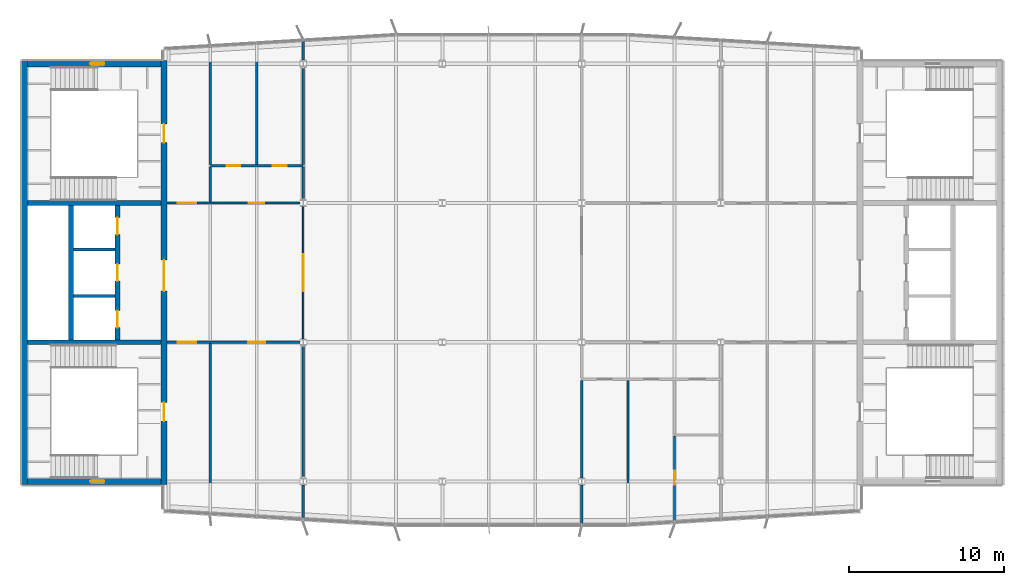
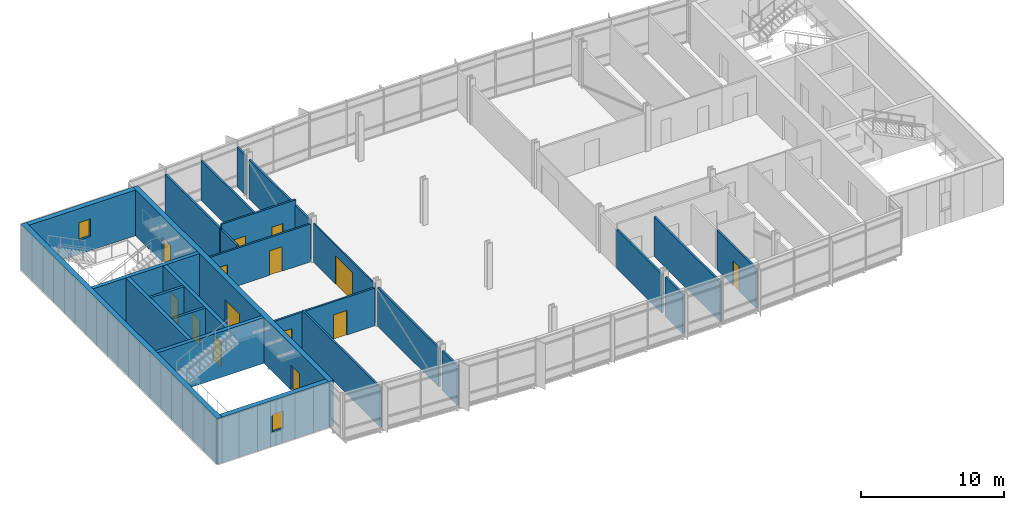
# One storey, part 15 of 21: 27 walls, 14 doors, 2 windows, 16 openings.
"""IFC4 building model written with IfcOpenShell, lengths in metres."""

import ifcopenshell
import ifcopenshell.guid

model = None  # the IFC model being written
_history = None  # IfcOwnerHistory: only IFC2X3 demands one
_inside = {}  # id of a spatial element -> (the spatial element, [elements in it])
_under = {}  # id of a project, library or spatial element -> (it, [spatial elements below it])
_declared = {}  # id of a project -> (the project, [libraries it declares])
_typed = {}  # id of a type object -> (the type object, [elements of that type])
_made_of = {}  # id of a material, layer set ... -> (it, [elements and type objects made of it])


def new_model(schema):
    """Start an empty IFC model of exactly this schema.

    Asked for "IFC4X3", IfcOpenShell would pick the latest addendum, in which some entities
    have other attributes; the version numbers below select the first issue.
    IFC2X3 requires an IfcOwnerHistory on every rooted entity: one is made here for all.
    """
    global model, _history
    if schema == "IFC4X3":
        model = ifcopenshell.file(schema_version=(4, 3, 0, 0))
    else:
        model = ifcopenshell.file(schema=schema)
    _inside.clear()
    _under.clear()
    _declared.clear()
    _typed.clear()
    _made_of.clear()
    _history = None
    if model.schema == "IFC2X3":
        org = make("IfcOrganization", Name="unknown")
        user = make(
            "IfcPersonAndOrganization",
            ThePerson=make("IfcPerson", FamilyName="unknown"),
            TheOrganization=org,
        )
        app = make(
            "IfcApplication",
            ApplicationDeveloper=org,
            Version="unknown",
            ApplicationFullName="unknown",
            ApplicationIdentifier="unknown",
        )
        _history = make(
            "IfcOwnerHistory",
            OwningUser=user,
            OwningApplication=app,
            ChangeAction="ADDED",
            CreationDate=0,
        )
    return model


def make(cls, **values):
    """One entity of the class cls with the attributes given. An attribute that is None is left unset."""
    return model.create_entity(
        cls, **{name: value for name, value in values.items() if value is not None}
    )


def rooted(cls, **values):
    """An entity with a GlobalId (a new one), such as an element, a storey or a relation."""
    return make(cls, GlobalId=ifcopenshell.guid.new(), OwnerHistory=_history, **values)


def si_unit(unit_type, name, prefix=None):
    """IfcSIUnit, for example si_unit("LENGTHUNIT", "METRE", prefix="MILLI")."""
    return make("IfcSIUnit", UnitType=unit_type, Prefix=prefix, Name=name)


def assignment(units):
    """IfcUnitAssignment: the units of a project."""
    return None if units is None else make("IfcUnitAssignment", Units=units)


def point(xyz):
    """IfcCartesianPoint."""
    return None if xyz is None else make("IfcCartesianPoint", Coordinates=xyz)


def direction(xyz):
    """IfcDirection."""
    return None if xyz is None else make("IfcDirection", DirectionRatios=xyz)


def frame(location, z_axis=None, x_axis=None):
    """IfcAxis2Placement3D, a coordinate frame: its origin and axes. An axis left out is left unset."""
    return make(
        "IfcAxis2Placement3D",
        Location=point(location),
        Axis=direction(z_axis),
        RefDirection=direction(x_axis),
    )


def frame_2d(location, x_axis=None):
    """IfcAxis2Placement2D, a coordinate frame in the plane: its origin and x axis."""
    return make(
        "IfcAxis2Placement2D", Location=point(location), RefDirection=direction(x_axis)
    )


def origin():
    """The frame at (0, 0, 0) with its axes left unset."""
    return frame((0.0, 0.0, 0.0))


def place(relative_to, where):
    """IfcLocalPlacement: puts the frame where relative to a parent placement (None: the world)."""
    return make(
        "IfcLocalPlacement", PlacementRelTo=relative_to, RelativePlacement=where
    )


def context(
    kind, dimensions, precision=None, world=None, true_north=None, identifier=None
):
    """IfcGeometricRepresentationContext, for example the 3D "Model" context."""
    return make(
        "IfcGeometricRepresentationContext",
        ContextIdentifier=identifier,
        ContextType=kind,
        CoordinateSpaceDimension=dimensions,
        Precision=precision,
        WorldCoordinateSystem=world,
        TrueNorth=true_north,
    )


def subcontext(parent, identifier, kind, view, scale=None):
    """IfcGeometricRepresentationSubContext, for example "Body" below "Model"."""
    return make(
        "IfcGeometricRepresentationSubContext",
        ContextIdentifier=identifier,
        ContextType=kind,
        ParentContext=parent,
        TargetScale=scale,
        TargetView=view,
    )


def project(units=None, contexts=None):
    """IfcProject with its units and contexts."""
    return rooted(
        "IfcProject",
        Name="project",
        RepresentationContexts=contexts,
        UnitsInContext=assignment(units),
    )


def spatial(cls, under=None, at=None, **own):
    """A site, building, storey or space (cls), placed at a placement, below another one or the project."""
    s = rooted(cls, ObjectPlacement=at, **own)
    if under is not None:
        _under.setdefault(under.id(), (under, []))[1].append(s)
    return s


def profile(cls, at=None, kind="AREA", **sizes):
    """A parametric profile (cls). Its sizes go by their IFC names, for example OverallWidth=200.0."""
    return make(cls, ProfileType=kind, Position=at, **sizes)


def rectangle(**sizes):
    """IfcRectangleProfileDef."""
    return profile("IfcRectangleProfileDef", **sizes)


def extrude(swept, where, along, depth):
    """IfcExtrudedAreaSolid: the profile swept, set in the frame where, extruded along a direction by depth."""
    return make(
        "IfcExtrudedAreaSolid",
        SweptArea=swept,
        Position=where,
        ExtrudedDirection=direction(along),
        Depth=depth,
    )


def shape(context_of_items, identifier, shape_type, items):
    """IfcShapeRepresentation: the items that make up one representation, for example the "Body"."""
    return make(
        "IfcShapeRepresentation",
        ContextOfItems=context_of_items,
        RepresentationIdentifier=identifier,
        RepresentationType=shape_type,
        Items=items,
    )


def material(Name=None, Category=None):
    """IfcMaterial."""
    return make("IfcMaterial", Name=Name, Category=Category)


def layer(
    of_material, thickness, ventilated=None, Name=None, Category=None, Priority=None
):
    """IfcMaterialLayer: one layer of a wall or slab, of a material (None: an air gap)."""
    return make(
        "IfcMaterialLayer",
        Material=of_material,
        LayerThickness=thickness,
        IsVentilated=ventilated,
        Name=Name,
        Category=Category,
        Priority=Priority,
    )


def layer_set(layers, Name=None):
    """IfcMaterialLayerSet."""
    return make("IfcMaterialLayerSet", MaterialLayers=layers, LayerSetName=Name)


def made_of(thing, what):
    """Note that an element or type object is made of a material, layer set ...; save() writes the relation."""
    if what is not None:
        _made_of.setdefault(what.id(), (what, []))[1].append(thing)
    return thing


def type_object(cls, material=None, **own):
    """A type object (cls), such as IfcWallType, which elements share."""
    return made_of(rooted(cls, **own), material)


def element(
    cls,
    number,
    at=None,
    inside=None,
    cuts=None,
    type_object=None,
    material=None,
    context=None,
    identifier="Body",
    shape_type=None,
    held_by="IfcProductDefinitionShape",
    body=None,
    shapes=None,
    **own,
):
    """One element of the class cls, such as IfcWall. Its Tag is "e" and its number.

    at: its placement. inside: the storey or other place that contains it. cuts: it is an
    opening in that element (IfcRelVoidsElement). A single representation is given by context,
    identifier, shape_type and body (its items); several are given by shapes. held_by: the class
    of the entity that holds the representations. save() writes the other relations.
    """
    e = rooted(cls, Tag="e%d" % number, ObjectPlacement=at, **own)
    if body is not None:
        shapes = [shape(context, identifier, shape_type, body)]
    if shapes is not None:
        e.Representation = make(held_by, Representations=shapes)
    if inside is not None:
        _inside.setdefault(inside.id(), (inside, []))[1].append(e)
    if cuts is not None:
        rooted(
            "IfcRelVoidsElement", RelatingBuildingElement=cuts, RelatedOpeningElement=e
        )
    if type_object is not None:
        _typed.setdefault(type_object.id(), (type_object, []))[1].append(e)
    return made_of(e, material)


def fill(opening, filler):
    """IfcRelFillsElement: the door or window that sits in an opening."""
    return rooted(
        "IfcRelFillsElement",
        RelatingOpeningElement=opening,
        RelatedBuildingElement=filler,
    )


def aggregate(whole, parts):
    """IfcRelAggregates: a whole, such as a stair, and the parts it consists of."""
    return rooted("IfcRelAggregates", RelatingObject=whole, RelatedObjects=parts)


def save(model, path):
    """Write the relations noted so far, then the file.

    IfcRelAggregates (storeys below a building ...), IfcRelContainedInSpatialStructure (elements
    in a storey), IfcRelDefinesByType, IfcRelAssociatesMaterial and IfcRelDeclares: one each for
    every whole, place, type object, material and project.
    """
    for whole, parts in _under.values():
        aggregate(whole, parts)
    for where, things in _inside.values():
        rooted(
            "IfcRelContainedInSpatialStructure",
            RelatedElements=things,
            RelatingStructure=where,
        )
    for kind, things in _typed.values():
        rooted("IfcRelDefinesByType", RelatedObjects=things, RelatingType=kind)
    for what, things in _made_of.values():
        rooted("IfcRelAssociatesMaterial", RelatedObjects=things, RelatingMaterial=what)
    for by, libraries in _declared.values():
        rooted("IfcRelDeclares", RelatingContext=by, RelatedDefinitions=libraries)
    model.write(path)


model = new_model("IFC4")

# Units and contexts
model_context = context("Model", 3, precision=1e-05, world=origin(), true_north=direction((0.0, 1.0)))
body_context = subcontext(model_context, "Body", "Model", "MODEL_VIEW")
ifc_project = project(units=[si_unit("LENGTHUNIT", "METRE"), si_unit("AREAUNIT", "SQUARE_METRE"), si_unit("VOLUMEUNIT", "CUBIC_METRE"), si_unit("PLANEANGLEUNIT", "RADIAN"), si_unit("MASSUNIT", "GRAM", prefix="KILO")], contexts=[model_context])

# Site, building, storey
site_placement = place(None, origin())
site = spatial("IfcSite", under=ifc_project, at=site_placement, CompositionType="ELEMENT")
building_placement = place(site_placement, origin())
building = spatial("IfcBuilding", under=site, at=building_placement, Name="Azimuth Sports and Learning Centre", CompositionType="ELEMENT")
storey_placement = place(building_placement, frame((0.0, 0.0, 32.39990234375)))
storey = spatial("IfcBuildingStorey", under=building, at=storey_placement, Name="L06", CompositionType="ELEMENT", Elevation=32.39990234375)

# Walls
ifc_material_1 = material(Name="Dense masonry blockwork", Category="masonry")
ifc_layer_1 = layer(ifc_material_1, 0.199951171875)
ifc_layer_set_1 = layer_set([ifc_layer_1], Name="Dense masonry blockwork")
wall_type_1 = type_object("IfcWallType", Name="Blockwork wall 200 EI 120", PredefinedType="SOLIDWALL", material=ifc_layer_set_1)
for number, where, z_axis, x_axis, name in (
    (1, (57.14990234375, 102.0, 0.0), (0.0, 0.0, 1.0), (1.0, 0.0, 0.0), "SD-W-1-L06"),
    (2, (57.14990234375, 105.0, 0.0), (0.0, 0.0, 1.0), (1.0, 0.0, 0.0), "SD-W-2-L06"),
):
    element("IfcWall", number, at=place(storey_placement, frame(where, z_axis=z_axis, x_axis=x_axis)), inside=storey, type_object=wall_type_1, Name=name, PredefinedType="SOLIDWALL", context=body_context, shape_type="SweptSolid", body=[
        extrude(rectangle(XDim=2.7001953125, YDim=0.199951171875, at=frame_2d((1.35009765625, 0.0))), origin(), (0.0, 0.0, 1.0), 3.900146484375),
    ])

# Wall, opening, door
ifc_material_2 = material(Name="Gypsum board on steel studs", Category="steel")
ifc_layer_2 = layer(ifc_material_2, 0.10009765625)
ifc_layer_set_2 = layer_set([ifc_layer_2], Name="Gypsum board on steel studs")
wall_type_2 = type_object("IfcWallType", Name="Partition 100 EI 30", PredefinedType="PARTITIONING", material=ifc_layer_set_2)
wall_1_placement = place(storey_placement, frame((72.0, 99.217529296875, 0.0), z_axis=(0.0, 0.0, 1.0), x_axis=(0.0, 1.0, 0.0)))
wall_1 = element("IfcWall", 3, at=wall_1_placement, inside=storey, type_object=wall_type_2, Name="Partition Canteen 06.08 / Learning Street West", PredefinedType="PARTITIONING", context=body_context, shape_type="SweptSolid", body=[
    extrude(rectangle(XDim=8.56494140625, YDim=0.10009765625, at=frame_2d((4.282470703125, 0.0))), origin(), (0.0, 0.0, 1.0), 3.320068359375),
])
opening_1_placement = place(wall_1_placement, frame((3.08251953125, 0.0, 0.0)))
opening_1 = element("IfcOpeningElement", 4, at=opening_1_placement, cuts=wall_1, Name="Opening D06-016", PredefinedType="OPENING", context=body_context, shape_type="SweptSolid", body=[
    extrude(rectangle(XDim=2.39990234375, YDim=2.39990234375, at=frame_2d((1.199951171875, 1.199951171875))), frame((0.0, 0.06103515625, 0.0), z_axis=(0.0, -1.0, 0.0), x_axis=(1.0, 0.0, 0.0)), (0.0, 0.0, 1.0), 0.1220703125),
])
ifc_material_3 = material(Name="Painted steel door set", Category="steel")
door_type_1 = type_object("IfcDoorType", Name="Fire door FD30S 2400 x 2400 double leaf", OperationType="DOUBLE_DOOR_SINGLE_SWING", PredefinedType="DOOR", material=ifc_material_3)
door_1_placement = place(opening_1_placement, frame((2.39990234375, 0.0, 0.0), z_axis=(0.0, 0.0, 1.0), x_axis=(-1.0, 0.0, 0.0)))
door_1 = element("IfcDoor", 5, at=door_1_placement, inside=storey, type_object=door_type_1, Name="Door Canteen 06.08 / Learning Street West", OperationType="DOUBLE_DOOR_SINGLE_SWING", OverallHeight=2.39990234375, OverallWidth=2.39990234375, PredefinedType="DOOR", context=body_context, shape_type="SweptSolid", body=[
    extrude(rectangle(XDim=2.39990234375, YDim=2.39990234375, at=frame_2d((1.199951171875, 1.199951171875))), frame((0.0, 0.02490234375, 0.0), z_axis=(0.0, -1.0, 0.0), x_axis=(1.0, 0.0, 0.0)), (0.0, 0.0, 1.0), 0.050048828125),
])
fill(opening_1, door_1)

# Wall, openings, doors
ifc_material_4 = material(Name="Lightweight blockwork, rendered", Category="masonry")
ifc_layer_3 = layer(ifc_material_4, 0.14990234375)
ifc_layer_set_3 = layer_set([ifc_layer_3], Name="Lightweight blockwork, rendered")
wall_type_3 = type_object("IfcWallType", Name="Partition 150 EI 60", PredefinedType="PARTITIONING", material=ifc_layer_set_3)
wall_2_placement = place(storey_placement, frame((63.199951171875, 99.0, 0.0), z_axis=(0.0, 0.0, 1.0), x_axis=(1.0, 0.0, 0.0)))
wall_2 = element("IfcWall", 6, at=wall_2_placement, inside=storey, type_object=wall_type_3, Name="Partition Stair Lobby W1 06.01 / First Aid Room 06.07", PredefinedType="PARTITIONING", context=body_context, shape_type="SweptSolid", body=[
    extrude(rectangle(XDim=8.593994140625, YDim=0.14990234375, at=frame_2d((4.296875, 0.0))), origin(), (0.0, 0.0, 1.0), 3.22021484375),
])
opening_2_placement = place(wall_2_placement, frame((0.699951171875, 0.0, 0.0)))
opening_2 = element("IfcOpeningElement", 7, at=opening_2_placement, cuts=wall_2, Name="Opening D06-011", PredefinedType="OPENING", context=body_context, shape_type="SweptSolid", body=[
    extrude(rectangle(XDim=1.199951171875, YDim=2.10009765625, at=frame_2d((0.60009765625, 1.050048828125))), frame((0.0, 0.0859375, 0.0), z_axis=(0.0, -1.0, 0.0), x_axis=(1.0, 0.0, 0.0)), (0.0, 0.0, 1.0), 0.171875),
])
opening_3_placement = place(wall_2_placement, frame((5.25, 0.0, 0.0)))
opening_3 = element("IfcOpeningElement", 8, at=opening_3_placement, cuts=wall_2, Name="Opening D06-015", PredefinedType="OPENING", context=body_context, shape_type="SweptSolid", body=[
    extrude(rectangle(XDim=1.10009765625, YDim=2.10009765625, at=frame_2d((0.550048828125, 1.050048828125))), frame((0.0, 0.0859375, 0.0), z_axis=(0.0, -1.0, 0.0), x_axis=(1.0, 0.0, 0.0)), (0.0, 0.0, 1.0), 0.171875),
])
ifc_material_5 = material(Name="Painted steel door set", Category="steel")
door_type_2 = type_object("IfcDoorType", Name="Fire door FD60 1100 x 2100", OperationType="NOTDEFINED", PredefinedType="DOOR", material=ifc_material_5)
door_2_placement = place(opening_3_placement, frame((1.10009765625, 0.0, 0.0), z_axis=(0.0, 0.0, 1.0), x_axis=(-1.0, 0.0, 0.0)))
door_2 = element("IfcDoor", 9, at=door_2_placement, inside=storey, type_object=door_type_2, Name="Door First Aid Room 06.07 / Learning Street West", OperationType="SINGLE_SWING_LEFT", OverallHeight=2.10009765625, OverallWidth=1.10009765625, PredefinedType="DOOR", context=body_context, shape_type="SweptSolid", body=[
    extrude(rectangle(XDim=1.10009765625, YDim=2.10009765625, at=frame_2d((0.550048828125, 1.050048828125))), frame((0.0, 0.02490234375, 0.0), z_axis=(0.0, -1.0, 0.0), x_axis=(1.0, 0.0, 0.0)), (0.0, 0.0, 1.0), 0.050048828125),
])
fill(opening_3, door_2)
ifc_material_6 = material(Name="Painted steel door set", Category="steel")
door_type_3 = type_object("IfcDoorType", Name="Fire door FD60 1200 x 2100", OperationType="NOTDEFINED", PredefinedType="DOOR", material=ifc_material_6)
door_3_placement = place(opening_2_placement, frame((1.199951171875, 0.0, 0.0), z_axis=(0.0, 0.0, 1.0), x_axis=(-1.0, 0.0, 0.0)))
door_3 = element("IfcDoor", 10, at=door_3_placement, inside=storey, type_object=door_type_3, Name="Door Stair Lobby W1 06.01 / Learning Street West", OperationType="SINGLE_SWING_RIGHT", OverallHeight=2.10009765625, OverallWidth=1.199951171875, PredefinedType="DOOR", context=body_context, shape_type="SweptSolid", body=[
    extrude(rectangle(XDim=1.199951171875, YDim=2.10009765625, at=frame_2d((0.60009765625, 1.050048828125))), frame((0.0, 0.02490234375, 0.0), z_axis=(0.0, -1.0, 0.0), x_axis=(1.0, 0.0, 0.0)), (0.0, 0.0, 1.0), 0.050048828125),
])
fill(opening_2, door_3)

wall_3_placement = place(storey_placement, frame((63.199951171875, 108.0, 0.0), z_axis=(0.0, 0.0, 1.0), x_axis=(1.0, 0.0, 0.0)))
wall_3 = element("IfcWall", 11, at=wall_3_placement, inside=storey, type_object=wall_type_3, Name="Partition Stair Lobby W2 06.02 / WC Lobby 06.16", PredefinedType="PARTITIONING", context=body_context, shape_type="SweptSolid", body=[
    extrude(rectangle(XDim=8.593994140625, YDim=0.14990234375, at=frame_2d((4.296875, 0.0))), origin(), (0.0, 0.0, 1.0), 3.22021484375),
])
opening_4_placement = place(wall_3_placement, frame((0.699951171875, 0.0, 0.0)))
opening_4 = element("IfcOpeningElement", 12, at=opening_4_placement, cuts=wall_3, Name="Opening D06-012", PredefinedType="OPENING", context=body_context, shape_type="SweptSolid", body=[
    extrude(rectangle(XDim=1.199951171875, YDim=2.10009765625, at=frame_2d((0.60009765625, 1.050048828125))), frame((0.0, 0.0859375, 0.0), z_axis=(0.0, -1.0, 0.0), x_axis=(1.0, 0.0, 0.0)), (0.0, 0.0, 1.0), 0.171875),
])
opening_5_placement = place(wall_3_placement, frame((5.300048828125, 0.0, 0.0)))
opening_5 = element("IfcOpeningElement", 13, at=opening_5_placement, cuts=wall_3, Name="Opening D06-021", PredefinedType="OPENING", context=body_context, shape_type="SweptSolid", body=[
    extrude(rectangle(XDim=1.0, YDim=2.10009765625, at=frame_2d((0.5, 1.050048828125))), frame((0.0, 0.0859375, 0.0), z_axis=(0.0, -1.0, 0.0), x_axis=(1.0, 0.0, 0.0)), (0.0, 0.0, 1.0), 0.171875),
])
ifc_material_7 = material(Name="Painted steel door set", Category="steel")
door_type_4 = type_object("IfcDoorType", Name="Fire door FD60 1000 x 2100", OperationType="NOTDEFINED", PredefinedType="DOOR", material=ifc_material_7)
door_4_placement = place(opening_5_placement, origin())
door_4 = element("IfcDoor", 14, at=door_4_placement, inside=storey, type_object=door_type_4, Name="Door WC Lobby 06.16 / Learning Street West", OperationType="SINGLE_SWING_RIGHT", OverallHeight=2.10009765625, OverallWidth=1.0, PredefinedType="DOOR", context=body_context, shape_type="SweptSolid", body=[
    extrude(rectangle(XDim=1.0, YDim=2.10009765625, at=frame_2d((0.5, 1.050048828125))), frame((0.0, 0.02490234375, 0.0), z_axis=(0.0, -1.0, 0.0), x_axis=(1.0, 0.0, 0.0)), (0.0, 0.0, 1.0), 0.050048828125),
])
fill(opening_5, door_4)
door_5_placement = place(opening_4_placement, origin())
door_5 = element("IfcDoor", 15, at=door_5_placement, inside=storey, type_object=door_type_3, Name="Door Stair Lobby W2 06.02 / Learning Street West", OperationType="SINGLE_SWING_LEFT", OverallHeight=2.10009765625, OverallWidth=1.199951171875, PredefinedType="DOOR", context=body_context, shape_type="SweptSolid", body=[
    extrude(rectangle(XDim=1.199951171875, YDim=2.10009765625, at=frame_2d((0.60009765625, 1.050048828125))), frame((0.0, 0.02490234375, 0.0), z_axis=(0.0, -1.0, 0.0), x_axis=(1.0, 0.0, 0.0)), (0.0, 0.0, 1.0), 0.050048828125),
])
fill(opening_4, door_5)

wall_4_placement = place(storey_placement, frame((66.0, 110.39990234375, 0.0), z_axis=(0.0, 0.0, 1.0), x_axis=(1.0, 0.0, 0.0)))
wall_4 = element("IfcWall", 16, at=wall_4_placement, inside=storey, type_object=wall_type_3, Name="Partition WC Lobby 06.16 / Men WC 06.17", PredefinedType="PARTITIONING", context=body_context, shape_type="SweptSolid", body=[
    extrude(rectangle(XDim=6.0, YDim=0.14990234375, at=frame_2d((3.0, 0.0))), origin(), (0.0, 0.0, 1.0), 3.77001953125),
])
opening_6_placement = place(wall_4_placement, frame((1.050048828125, 0.0, 0.0)))
opening_6 = element("IfcOpeningElement", 17, at=opening_6_placement, cuts=wall_4, Name="Opening D06-029", PredefinedType="OPENING", context=body_context, shape_type="SweptSolid", body=[
    extrude(rectangle(XDim=0.89990234375, YDim=2.10009765625, at=frame_2d((0.449951171875, 1.050048828125))), frame((0.0, 0.0859375, 0.0), z_axis=(0.0, -1.0, 0.0), x_axis=(1.0, 0.0, 0.0)), (0.0, 0.0, 1.0), 0.171875),
])
opening_7_placement = place(wall_4_placement, frame((4.050048828125, 0.0, 0.0)))
opening_7 = element("IfcOpeningElement", 18, at=opening_7_placement, cuts=wall_4, Name="Opening D06-030", PredefinedType="OPENING", context=body_context, shape_type="SweptSolid", body=[
    extrude(rectangle(XDim=0.89990234375, YDim=2.10009765625, at=frame_2d((0.449951171875, 1.050048828125))), frame((0.0, 0.0859375, 0.0), z_axis=(0.0, -1.0, 0.0), x_axis=(1.0, 0.0, 0.0)), (0.0, 0.0, 1.0), 0.171875),
])
ifc_material_8 = material(Name="Painted steel door set", Category="steel")
door_type_5 = type_object("IfcDoorType", Name="Fire door FD60 900 x 2100", OperationType="NOTDEFINED", PredefinedType="DOOR", material=ifc_material_8)
door_6_placement = place(opening_6_placement, frame((0.89990234375, 0.0, 0.0), z_axis=(0.0, 0.0, 1.0), x_axis=(-1.0, 0.0, 0.0)))
door_6 = element("IfcDoor", 19, at=door_6_placement, inside=storey, type_object=door_type_5, Name="Door WC Lobby 06.16 / Men WC 06.17", OperationType="SINGLE_SWING_RIGHT", OverallHeight=2.10009765625, OverallWidth=0.89990234375, PredefinedType="DOOR", context=body_context, shape_type="SweptSolid", body=[
    extrude(rectangle(XDim=0.89990234375, YDim=2.10009765625, at=frame_2d((0.449951171875, 1.050048828125))), frame((0.0, 0.02490234375, 0.0), z_axis=(0.0, -1.0, 0.0), x_axis=(1.0, 0.0, 0.0)), (0.0, 0.0, 1.0), 0.050048828125),
])
fill(opening_6, door_6)
door_7_placement = place(opening_7_placement, frame((0.89990234375, 0.0, 0.0), z_axis=(0.0, 0.0, 1.0), x_axis=(-1.0, 0.0, 0.0)))
door_7 = element("IfcDoor", 20, at=door_7_placement, inside=storey, type_object=door_type_5, Name="Door WC Lobby 06.16 / Women WC 06.18", OperationType="SINGLE_SWING_LEFT", OverallHeight=2.10009765625, OverallWidth=0.89990234375, PredefinedType="DOOR", context=body_context, shape_type="SweptSolid", body=[
    extrude(rectangle(XDim=0.89990234375, YDim=2.10009765625, at=frame_2d((0.449951171875, 1.050048828125))), frame((0.0, 0.02490234375, 0.0), z_axis=(0.0, -1.0, 0.0), x_axis=(1.0, 0.0, 0.0)), (0.0, 0.0, 1.0), 0.050048828125),
])
fill(opening_7, door_7)

# Walls
wall_5_placement = place(storey_placement, frame((66.0, 88.02001953125, 0.0), z_axis=(0.0, 0.0, 1.0), x_axis=(0.0, 1.0, 0.0)))
element("IfcWall", 21, at=wall_5_placement, inside=storey, type_object=wall_type_3, Name="Partition Stair Lobby W1 06.01 / First Aid Room 06.07", PredefinedType="PARTITIONING", context=body_context, shape_type="SweptSolid", body=[
    extrude(rectangle(XDim=10.905029296875, YDim=0.14990234375, at=frame_2d((5.45263671875, 0.0))), origin(), (0.0, 0.0, 1.0), 3.3701171875),
])
wall_6_placement = place(storey_placement, frame((66.0, 108.074951171875, 0.0), z_axis=(0.0, 0.0, 1.0), x_axis=(0.0, 1.0, 0.0)))
element("IfcWall", 22, at=wall_6_placement, inside=storey, type_object=wall_type_3, Name="Partition Stair Lobby W2 06.02 / WC Lobby 06.16", PredefinedType="PARTITIONING", context=body_context, shape_type="SweptSolid", body=[
    extrude(rectangle(XDim=2.25, YDim=0.14990234375, at=frame_2d((1.125, 0.0))), origin(), (0.0, 0.0, 1.0), 3.3701171875),
])
wall_7_placement = place(storey_placement, frame((66.0, 110.47509765625, 0.0), z_axis=(0.0, 0.0, 1.0), x_axis=(0.0, 1.0, 0.0)))
element("IfcWall", 23, at=wall_7_placement, inside=storey, type_object=wall_type_3, Name="Partition Stair Lobby W2 06.02 / WC Lobby 06.16", PredefinedType="PARTITIONING", context=body_context, shape_type="SweptSolid", body=[
    extrude(rectangle(XDim=7.60498046875, YDim=0.14990234375, at=frame_2d((3.802490234375, 0.0))), origin(), (0.0, 0.0, 1.0), 3.3701171875),
])
wall_8_placement = place(storey_placement, frame((69.0, 110.47509765625, 0.0), z_axis=(0.0, 0.0, 1.0), x_axis=(0.0, 1.0, 0.0)))
element("IfcWall", 24, at=wall_8_placement, inside=storey, type_object=wall_type_3, Name="Partition Men WC 06.17 / Women WC 06.18", PredefinedType="PARTITIONING", context=body_context, shape_type="SweptSolid", body=[
    extrude(rectangle(XDim=7.784912109375, YDim=0.14990234375, at=frame_2d((3.892578125, 0.0))), origin(), (0.0, 0.0, 1.0), 3.3701171875),
])
wall_9_placement = place(storey_placement, frame((72.0, 87.659912109375, 0.0), z_axis=(0.0, 0.0, 1.0), x_axis=(0.0, 1.0, 0.0)))
element("IfcWall", 25, at=wall_9_placement, inside=storey, type_object=wall_type_3, Name="Partition First Aid Room 06.07 / Canteen 06.08", PredefinedType="PARTITIONING", context=body_context, shape_type="SweptSolid", body=[
    extrude(rectangle(XDim=2.10302734375, YDim=0.14990234375, at=frame_2d((1.051513671875, 0.0))), origin(), (0.0, 0.0, 1.0), 3.3701171875),
])
wall_10_placement = place(storey_placement, frame((72.0, 90.237060546875, 0.0), z_axis=(0.0, 0.0, 1.0), x_axis=(0.0, 1.0, 0.0)))
element("IfcWall", 26, at=wall_10_placement, inside=storey, type_object=wall_type_3, Name="Partition First Aid Room 06.07 / Canteen 06.08", PredefinedType="PARTITIONING", context=body_context, shape_type="SweptSolid", body=[
    extrude(rectangle(XDim=8.54541015625, YDim=0.14990234375, at=frame_2d((4.272705078125, 0.0))), origin(), (0.0, 0.0, 1.0), 3.320068359375),
])
wall_11_placement = place(storey_placement, frame((72.0, 108.217529296875, 0.0), z_axis=(0.0, 0.0, 1.0), x_axis=(0.0, 1.0, 0.0)))
element("IfcWall", 27, at=wall_11_placement, inside=storey, type_object=wall_type_3, Name="Partition Canteen 06.08 / WC Lobby 06.16", PredefinedType="PARTITIONING", context=body_context, shape_type="SweptSolid", body=[
    extrude(rectangle(XDim=2.107421875, YDim=0.14990234375, at=frame_2d((1.0537109375, 0.0))), origin(), (0.0, 0.0, 1.0), 3.320068359375),
])
wall_12_placement = place(storey_placement, frame((72.0, 110.47509765625, 0.0), z_axis=(0.0, 0.0, 1.0), x_axis=(0.0, 1.0, 0.0)))
element("IfcWall", 28, at=wall_12_placement, inside=storey, type_object=wall_type_3, Name="Partition Canteen 06.08 / WC Lobby 06.16", PredefinedType="PARTITIONING", context=body_context, shape_type="SweptSolid", body=[
    extrude(rectangle(XDim=6.287841796875, YDim=0.14990234375, at=frame_2d((3.14404296875, 0.0))), origin(), (0.0, 0.0, 1.0), 3.320068359375),
])
wall_13_placement = place(storey_placement, frame((72.0, 117.237060546875, 0.0), z_axis=(0.0, 0.0, 1.0), x_axis=(0.0, 1.0, 0.0)))
element("IfcWall", 29, at=wall_13_placement, inside=storey, type_object=wall_type_3, Name="Partition Canteen 06.08 / WC Lobby 06.16", PredefinedType="PARTITIONING", context=body_context, shape_type="SweptSolid", body=[
    extrude(rectangle(XDim=1.202880859375, YDim=0.14990234375, at=frame_2d((0.6015625, 0.0))), origin(), (0.0, 0.0, 1.0), 3.3701171875),
])
wall_14_placement = place(storey_placement, frame((90.0, 87.300048828125, 0.0), z_axis=(0.0, 0.0, 1.0), x_axis=(0.0, 1.0, 0.0)))
element("IfcWall", 30, at=wall_14_placement, inside=storey, type_object=wall_type_3, Name="Partition Canteen 06.08 / WC Lobby 06.09", PredefinedType="PARTITIONING", context=body_context, shape_type="SweptSolid", body=[
    extrude(rectangle(XDim=2.462890625, YDim=0.14990234375, at=frame_2d((1.2314453125, 0.0))), origin(), (0.0, 0.0, 1.0), 3.3701171875),
])
wall_15_placement = place(storey_placement, frame((90.0, 90.237060546875, 0.0), z_axis=(0.0, 0.0, 1.0), x_axis=(0.0, 1.0, 0.0)))
element("IfcWall", 31, at=wall_15_placement, inside=storey, type_object=wall_type_3, Name="Partition Canteen 06.08 / WC Lobby 06.09", PredefinedType="PARTITIONING", context=body_context, shape_type="SweptSolid", body=[
    extrude(rectangle(XDim=6.287841796875, YDim=0.14990234375, at=frame_2d((3.14404296875, 0.0))), origin(), (0.0, 0.0, 1.0), 3.320068359375),
])
wall_16_placement = place(storey_placement, frame((93.0, 87.300048828125, 0.0), z_axis=(0.0, 0.0, 1.0), x_axis=(0.0, 1.0, 0.0)))
element("IfcWall", 32, at=wall_16_placement, inside=storey, type_object=wall_type_3, Name="Partition Men WC 06.10 / Women WC 06.11", PredefinedType="PARTITIONING", context=body_context, shape_type="SweptSolid", body=[
    extrude(rectangle(XDim=9.224853515625, YDim=0.14990234375, at=frame_2d((4.6123046875, 0.0))), origin(), (0.0, 0.0, 1.0), 3.3701171875),
])

# Wall, opening, door
wall_17_placement = place(storey_placement, frame((96.0, 87.47998046875, 0.0), z_axis=(0.0, 0.0, 1.0), x_axis=(0.0, 1.0, 0.0)))
wall_17 = element("IfcWall", 33, at=wall_17_placement, inside=storey, type_object=wall_type_3, Name="Partition Women WC 06.11 / Accessible WC 06.12", PredefinedType="PARTITIONING", context=body_context, shape_type="SweptSolid", body=[
    extrude(rectangle(XDim=5.445068359375, YDim=0.14990234375, at=frame_2d((2.72265625, 0.0))), origin(), (0.0, 0.0, 1.0), 3.3701171875),
])
opening_8_placement = place(wall_17_placement, frame((2.31005859375, 0.0, 0.0)))
opening_8 = element("IfcOpeningElement", 34, at=opening_8_placement, cuts=wall_17, Name="Opening D06-028", PredefinedType="OPENING", context=body_context, shape_type="SweptSolid", body=[
    extrude(rectangle(XDim=0.89990234375, YDim=2.10009765625, at=frame_2d((0.449951171875, 1.050048828125))), frame((0.0, 0.0859375, 0.0), z_axis=(0.0, -1.0, 0.0), x_axis=(1.0, 0.0, 0.0)), (0.0, 0.0, 1.0), 0.171875),
])
door_8_placement = place(opening_8_placement, frame((0.89990234375, 0.0, 0.0), z_axis=(0.0, 0.0, 1.0), x_axis=(-1.0, 0.0, 0.0)))
door_8 = element("IfcDoor", 35, at=door_8_placement, inside=storey, type_object=door_type_5, Name="Door Women WC 06.11 / Cleaner Store 06.13", OperationType="SINGLE_SWING_LEFT", OverallHeight=2.10009765625, OverallWidth=0.89990234375, PredefinedType="DOOR", context=body_context, shape_type="SweptSolid", body=[
    extrude(rectangle(XDim=0.89990234375, YDim=2.10009765625, at=frame_2d((0.449951171875, 1.050048828125))), frame((0.0, 0.02490234375, 0.0), z_axis=(0.0, -1.0, 0.0), x_axis=(1.0, 0.0, 0.0)), (0.0, 0.0, 1.0), 0.050048828125),
])
fill(opening_8, door_8)

# Walls
ifc_material_9 = material(Name="Concrete C40/50", Category="concrete")
ifc_layer_4 = layer(ifc_material_9, 0.300048828125)
ifc_layer_set_4 = layer_set([ifc_layer_4], Name="Concrete C40/50")
wall_type_4 = type_object("IfcWallType", Name="RC core wall 300", PredefinedType="SHEAR", material=ifc_layer_set_4)
for number, where, z_axis, x_axis, name in (
    (36, (54.199951171875, 99.0, 0.0), (0.0, 0.0, 1.0), (1.0, 0.0, 0.0), "Core wall W D1 L06"),
    (37, (54.199951171875, 108.0, 0.0), (0.0, 0.0, 1.0), (1.0, 0.0, 0.0), "Core wall W D2 L06"),
):
    element("IfcWall", number, at=place(storey_placement, frame(where, z_axis=z_axis, x_axis=x_axis)), inside=storey, type_object=wall_type_4, Name=name, PredefinedType="SHEAR", context=body_context, shape_type="SweptSolid", body=[
        extrude(rectangle(XDim=8.60009765625, YDim=0.300048828125, at=frame_2d((4.300048828125, 0.0))), origin(), (0.0, 0.0, 1.0), 3.900146484375),
    ])
wall_18_placement = place(storey_placement, frame((57.0, 99.14990234375, 0.0), z_axis=(0.0, 0.0, 1.0), x_axis=(0.0, 1.0, 0.0)))
element("IfcWall", 38, at=wall_18_placement, inside=storey, type_object=wall_type_4, Name="Core wall W LB1 L06", PredefinedType="SHEAR", context=body_context, shape_type="SweptSolid", body=[
    extrude(rectangle(XDim=8.7001953125, YDim=0.300048828125, at=frame_2d((4.35009765625, 0.0))), origin(), (0.0, 0.0, 1.0), 3.900146484375),
])

# Wall, openings, doors
wall_19_placement = place(storey_placement, frame((60.0, 99.14990234375, 0.0), z_axis=(0.0, 0.0, 1.0), x_axis=(0.0, 1.0, 0.0)))
wall_19 = element("IfcWall", 39, at=wall_19_placement, inside=storey, type_object=wall_type_4, Name="Core wall W LB2 L06", PredefinedType="SHEAR", context=body_context, shape_type="SweptSolid", body=[
    extrude(rectangle(XDim=8.7001953125, YDim=0.300048828125, at=frame_2d((4.35009765625, 0.0))), origin(), (0.0, 0.0, 1.0), 3.900146484375),
])
opening_9_placement = place(wall_19_placement, frame((0.800048828125, 0.0, 0.0)))
opening_9 = element("IfcOpeningElement", 40, at=opening_9_placement, cuts=wall_19, Name="Opening D06-005", PredefinedType="OPENING", context=body_context, shape_type="SweptSolid", body=[
    extrude(rectangle(XDim=1.10009765625, YDim=2.10009765625, at=frame_2d((0.550048828125, 1.050048828125))), frame((0.0, 0.1611328125, 0.0), z_axis=(0.0, -1.0, 0.0), x_axis=(1.0, 0.0, 0.0)), (0.0, 0.0, 1.0), 0.322021484375),
])
opening_10_placement = place(wall_19_placement, frame((3.800048828125, 0.0, 0.0)))
opening_10 = element("IfcOpeningElement", 41, at=opening_10_placement, cuts=wall_19, Name="Opening D06-006", PredefinedType="OPENING", context=body_context, shape_type="SweptSolid", body=[
    extrude(rectangle(XDim=1.10009765625, YDim=2.10009765625, at=frame_2d((0.550048828125, 1.050048828125))), frame((0.0, 0.1611328125, 0.0), z_axis=(0.0, -1.0, 0.0), x_axis=(1.0, 0.0, 0.0)), (0.0, 0.0, 1.0), 0.322021484375),
])
opening_11_placement = place(wall_19_placement, frame((6.800048828125, 0.0, 0.0)))
opening_11 = element("IfcOpeningElement", 42, at=opening_11_placement, cuts=wall_19, Name="Opening D06-007", PredefinedType="OPENING", context=body_context, shape_type="SweptSolid", body=[
    extrude(rectangle(XDim=1.10009765625, YDim=2.10009765625, at=frame_2d((0.550048828125, 1.050048828125))), frame((0.0, 0.1611328125, 0.0), z_axis=(0.0, -1.0, 0.0), x_axis=(1.0, 0.0, 0.0)), (0.0, 0.0, 1.0), 0.322021484375),
])
ifc_material_10 = material(Name="Stainless steel", Category="steel")
door_type_6 = type_object("IfcDoorType", Name="Lift landing door 1100 x 2100", OperationType="DOUBLE_DOOR_SLIDING", PredefinedType="DOOR", material=ifc_material_10)
door_9_placement = place(opening_9_placement, origin())
door_9 = element("IfcDoor", 43, at=door_9_placement, inside=storey, type_object=door_type_6, Name="Landing door LW1 L06", OperationType="DOUBLE_DOOR_SLIDING", OverallHeight=2.10009765625, OverallWidth=1.10009765625, PredefinedType="DOOR", context=body_context, shape_type="SweptSolid", body=[
    extrude(rectangle(XDim=1.10009765625, YDim=2.10009765625, at=frame_2d((0.550048828125, 1.050048828125))), frame((0.0, 0.02490234375, 0.0), z_axis=(0.0, -1.0, 0.0), x_axis=(1.0, 0.0, 0.0)), (0.0, 0.0, 1.0), 0.050048828125),
])
fill(opening_9, door_9)
door_10_placement = place(opening_10_placement, origin())
door_10 = element("IfcDoor", 44, at=door_10_placement, inside=storey, type_object=door_type_6, Name="Landing door LW2 L06", OperationType="DOUBLE_DOOR_SLIDING", OverallHeight=2.10009765625, OverallWidth=1.10009765625, PredefinedType="DOOR", context=body_context, shape_type="SweptSolid", body=[
    extrude(rectangle(XDim=1.10009765625, YDim=2.10009765625, at=frame_2d((0.550048828125, 1.050048828125))), frame((0.0, 0.02490234375, 0.0), z_axis=(0.0, -1.0, 0.0), x_axis=(1.0, 0.0, 0.0)), (0.0, 0.0, 1.0), 0.050048828125),
])
fill(opening_10, door_10)
door_11_placement = place(opening_11_placement, origin())
door_11 = element("IfcDoor", 45, at=door_11_placement, inside=storey, type_object=door_type_6, Name="Landing door LW3 L06", OperationType="DOUBLE_DOOR_SLIDING", OverallHeight=2.10009765625, OverallWidth=1.10009765625, PredefinedType="DOOR", context=body_context, shape_type="SweptSolid", body=[
    extrude(rectangle(XDim=1.10009765625, YDim=2.10009765625, at=frame_2d((0.550048828125, 1.050048828125))), frame((0.0, 0.02490234375, 0.0), z_axis=(0.0, -1.0, 0.0), x_axis=(1.0, 0.0, 0.0)), (0.0, 0.0, 1.0), 0.050048828125),
])
fill(opening_11, door_11)

ifc_material_11 = material(Name="Concrete C40/50", Category="concrete")
ifc_layer_5 = layer(ifc_material_11, 0.39990234375)
ifc_layer_set_5 = layer_set([ifc_layer_5], Name="Concrete C40/50")
wall_type_5 = type_object("IfcWallType", Name="RC core wall 400", PredefinedType="SHEAR", material=ifc_layer_set_5)
wall_20_placement = place(storey_placement, frame((63.0, 89.800048828125, 0.0), z_axis=(0.0, 0.0, 1.0), x_axis=(0.0, 1.0, 0.0)))
wall_20 = element("IfcWall", 46, at=wall_20_placement, inside=storey, type_object=wall_type_5, Name="Core wall W E L06", PredefinedType="SHEAR", context=body_context, shape_type="SweptSolid", body=[
    extrude(rectangle(XDim=27.39990234375, YDim=0.39990234375, at=frame_2d((13.699951171875, 0.0))), origin(), (0.0, 0.0, 1.0), 3.900146484375),
])
opening_12_placement = place(wall_20_placement, frame((4.10009765625, 0.0, 0.0)))
opening_12 = element("IfcOpeningElement", 47, at=opening_12_placement, cuts=wall_20, Name="Opening D06-001", PredefinedType="OPENING", context=body_context, shape_type="SweptSolid", body=[
    extrude(rectangle(XDim=1.199951171875, YDim=2.10009765625, at=frame_2d((0.60009765625, 1.050048828125))), frame((0.0, 0.2109375, 0.0), z_axis=(0.0, -1.0, 0.0), x_axis=(1.0, 0.0, 0.0)), (0.0, 0.0, 1.0), 0.421875),
])
opening_13_placement = place(wall_20_placement, frame((22.10009765625, 0.0, 0.0)))
opening_13 = element("IfcOpeningElement", 48, at=opening_13_placement, cuts=wall_20, Name="Opening D06-002", PredefinedType="OPENING", context=body_context, shape_type="SweptSolid", body=[
    extrude(rectangle(XDim=1.199951171875, YDim=2.10009765625, at=frame_2d((0.60009765625, 1.050048828125))), frame((0.0, 0.2109375, 0.0), z_axis=(0.0, -1.0, 0.0), x_axis=(1.0, 0.0, 0.0)), (0.0, 0.0, 1.0), 0.421875),
])
opening_14_placement = place(wall_20_placement, frame((12.5, 0.0, 0.0)))
opening_14 = element("IfcOpeningElement", 49, at=opening_14_placement, cuts=wall_20, Name="Opening D06-031", PredefinedType="OPENING", context=body_context, shape_type="SweptSolid", body=[
    extrude(rectangle(XDim=2.0, YDim=2.10009765625, at=frame_2d((1.0, 1.050048828125))), frame((0.0, 0.2109375, 0.0), z_axis=(0.0, -1.0, 0.0), x_axis=(1.0, 0.0, 0.0)), (0.0, 0.0, 1.0), 0.421875),
])
ifc_material_12 = material(Name="Painted steel door set", Category="steel")
door_type_7 = type_object("IfcDoorType", Name="Fire door FD120 2000 x 2100 double leaf", OperationType="DOUBLE_DOOR_SINGLE_SWING", PredefinedType="DOOR", material=ifc_material_12)
door_12_placement = place(opening_14_placement, origin())
door_12 = element("IfcDoor", 50, at=door_12_placement, inside=storey, type_object=door_type_7, Name="Door Lift Lobby W 06.05 / Learning Street West", OperationType="DOUBLE_DOOR_SINGLE_SWING", OverallHeight=2.10009765625, OverallWidth=2.0, PredefinedType="DOOR", context=body_context, shape_type="SweptSolid", body=[
    extrude(rectangle(XDim=2.0, YDim=2.10009765625, at=frame_2d((1.0, 1.050048828125))), frame((0.0, 0.02490234375, 0.0), z_axis=(0.0, -1.0, 0.0), x_axis=(1.0, 0.0, 0.0)), (0.0, 0.0, 1.0), 0.050048828125),
])
fill(opening_14, door_12)
ifc_material_13 = material(Name="Steel", Category="steel")
door_type_8 = type_object("IfcDoorType", Name="Stair fire door 1200 x 2100", OperationType="NOTDEFINED", PredefinedType="DOOR", material=ifc_material_13)
door_13_placement = place(opening_12_placement, origin())
door_13 = element("IfcDoor", 51, at=door_13_placement, inside=storey, type_object=door_type_8, Name="Stair door W1 L06", OperationType="SINGLE_SWING_LEFT", OverallHeight=2.10009765625, OverallWidth=1.199951171875, PredefinedType="DOOR", context=body_context, shape_type="SweptSolid", body=[
    extrude(rectangle(XDim=1.199951171875, YDim=2.10009765625, at=frame_2d((0.60009765625, 1.050048828125))), frame((0.0, 0.02490234375, 0.0), z_axis=(0.0, -1.0, 0.0), x_axis=(1.0, 0.0, 0.0)), (0.0, 0.0, 1.0), 0.050048828125),
])
fill(opening_12, door_13)
door_14_placement = place(opening_13_placement, origin())
door_14 = element("IfcDoor", 52, at=door_14_placement, inside=storey, type_object=door_type_8, Name="Stair door W2 L06", OperationType="SINGLE_SWING_LEFT", OverallHeight=2.10009765625, OverallWidth=1.199951171875, PredefinedType="DOOR", context=body_context, shape_type="SweptSolid", body=[
    extrude(rectangle(XDim=1.199951171875, YDim=2.10009765625, at=frame_2d((0.60009765625, 1.050048828125))), frame((0.0, 0.02490234375, 0.0), z_axis=(0.0, -1.0, 0.0), x_axis=(1.0, 0.0, 0.0)), (0.0, 0.0, 1.0), 0.050048828125),
])
fill(opening_13, door_14)

# Wall, opening, window
ifc_material_14 = material(Name="Concrete C40/50", Category="concrete")
ifc_layer_6 = layer(ifc_material_14, 0.39990234375)
ifc_layer_set_6 = layer_set([ifc_layer_6], Name="Concrete C40/50")
wall_type_6 = type_object("IfcWallType", Name="RC external core wall 400", PredefinedType="SHEAR", material=ifc_layer_set_6)
wall_21_placement = place(storey_placement, frame((54.199951171875, 90.0, 0.0), z_axis=(0.0, 0.0, 1.0), x_axis=(1.0, 0.0, 0.0)))
wall_21 = element("IfcWall", 53, at=wall_21_placement, inside=storey, type_object=wall_type_6, Name="Core wall W S L06", PredefinedType="SHEAR", context=body_context, shape_type="SweptSolid", body=[
    extrude(rectangle(XDim=8.60009765625, YDim=0.39990234375, at=frame_2d((4.300048828125, 0.0))), origin(), (0.0, 0.0, 1.0), 3.900146484375),
])
opening_15_placement = place(wall_21_placement, frame((4.050048828125, 0.0, 1.199951171875)))
opening_15 = element("IfcOpeningElement", 54, at=opening_15_placement, cuts=wall_21, Name="Opening W06-001", PredefinedType="OPENING", context=body_context, shape_type="SweptSolid", body=[
    extrude(rectangle(XDim=0.89990234375, YDim=1.5, at=frame_2d((0.449951171875, 0.75))), frame((0.0, 0.2109375, 0.0), z_axis=(0.0, -1.0, 0.0), x_axis=(1.0, 0.0, 0.0)), (0.0, 0.0, 1.0), 0.421875),
])
ifc_material_15 = material(Name="Aluminium and glass", Category="aluminium")
window_type = type_object("IfcWindowType", Name="Stair window tower core 900x1500", PartitioningType="SINGLE_PANEL", PredefinedType="WINDOW", material=ifc_material_15)
window_1_placement = place(opening_15_placement, origin())
window_1 = element("IfcWindow", 55, at=window_1_placement, inside=storey, type_object=window_type, Name="Window W06-001", OverallHeight=1.5, OverallWidth=0.89990234375, PartitioningType="SINGLE_PANEL", PredefinedType="WINDOW", context=body_context, shape_type="SweptSolid", body=[
    extrude(rectangle(XDim=0.89990234375, YDim=1.5, at=frame_2d((0.449951171875, 0.75))), frame((0.0, 0.030029296875, 0.0), z_axis=(0.0, -1.0, 0.0), x_axis=(1.0, 0.0, 0.0)), (0.0, 0.0, 1.0), 0.06005859375),
])
fill(opening_15, window_1)

wall_22_placement = place(storey_placement, frame((54.199951171875, 117.0, 0.0), z_axis=(0.0, 0.0, 1.0), x_axis=(1.0, 0.0, 0.0)))
wall_22 = element("IfcWall", 56, at=wall_22_placement, inside=storey, type_object=wall_type_6, Name="Core wall W N L06", PredefinedType="SHEAR", context=body_context, shape_type="SweptSolid", body=[
    extrude(rectangle(XDim=8.60009765625, YDim=0.39990234375, at=frame_2d((4.300048828125, 0.0))), origin(), (0.0, 0.0, 1.0), 3.900146484375),
])
opening_16_placement = place(wall_22_placement, frame((4.050048828125, 0.0, 1.199951171875)))
opening_16 = element("IfcOpeningElement", 57, at=opening_16_placement, cuts=wall_22, Name="Opening W06-004", PredefinedType="OPENING", context=body_context, shape_type="SweptSolid", body=[
    extrude(rectangle(XDim=0.89990234375, YDim=1.5, at=frame_2d((0.449951171875, 0.75))), frame((0.0, 0.2109375, 0.0), z_axis=(0.0, -1.0, 0.0), x_axis=(1.0, 0.0, 0.0)), (0.0, 0.0, 1.0), 0.421875),
])
window_2_placement = place(opening_16_placement, origin())
window_2 = element("IfcWindow", 58, at=window_2_placement, inside=storey, type_object=window_type, Name="Window W06-004", OverallHeight=1.5, OverallWidth=0.89990234375, PartitioningType="SINGLE_PANEL", PredefinedType="WINDOW", context=body_context, shape_type="SweptSolid", body=[
    extrude(rectangle(XDim=0.89990234375, YDim=1.5, at=frame_2d((0.449951171875, 0.75))), frame((0.0, 0.030029296875, 0.0), z_axis=(0.0, -1.0, 0.0), x_axis=(1.0, 0.0, 0.0)), (0.0, 0.0, 1.0), 0.06005859375),
])
fill(opening_16, window_2)

# Wall
wall_23_placement = place(storey_placement, frame((54.0, 89.800048828125, 0.0), z_axis=(0.0, 0.0, 1.0), x_axis=(0.0, 1.0, 0.0)))
element("IfcWall", 59, at=wall_23_placement, inside=storey, type_object=wall_type_6, Name="Core wall W W L06", PredefinedType="SHEAR", context=body_context, shape_type="SweptSolid", body=[
    extrude(rectangle(XDim=27.39990234375, YDim=0.39990234375, at=frame_2d((13.699951171875, 0.0))), origin(), (0.0, 0.0, 1.0), 3.900146484375),
])

save(model, "model.ifc")
